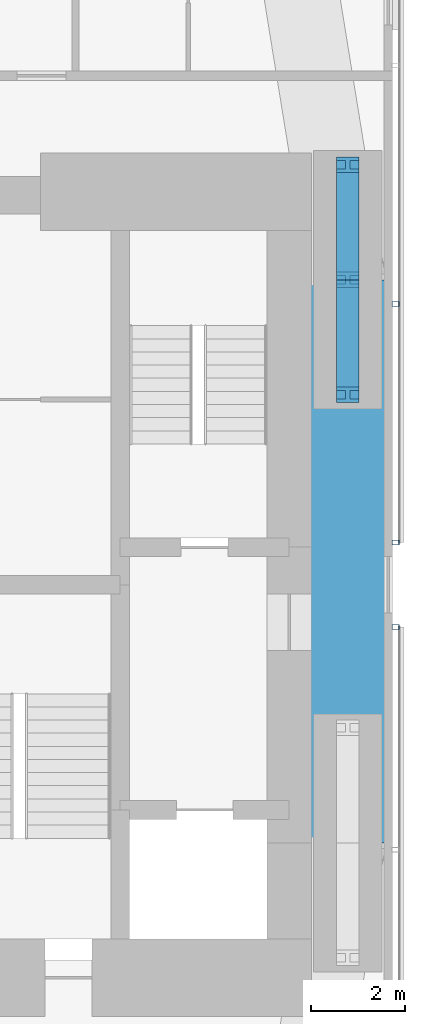
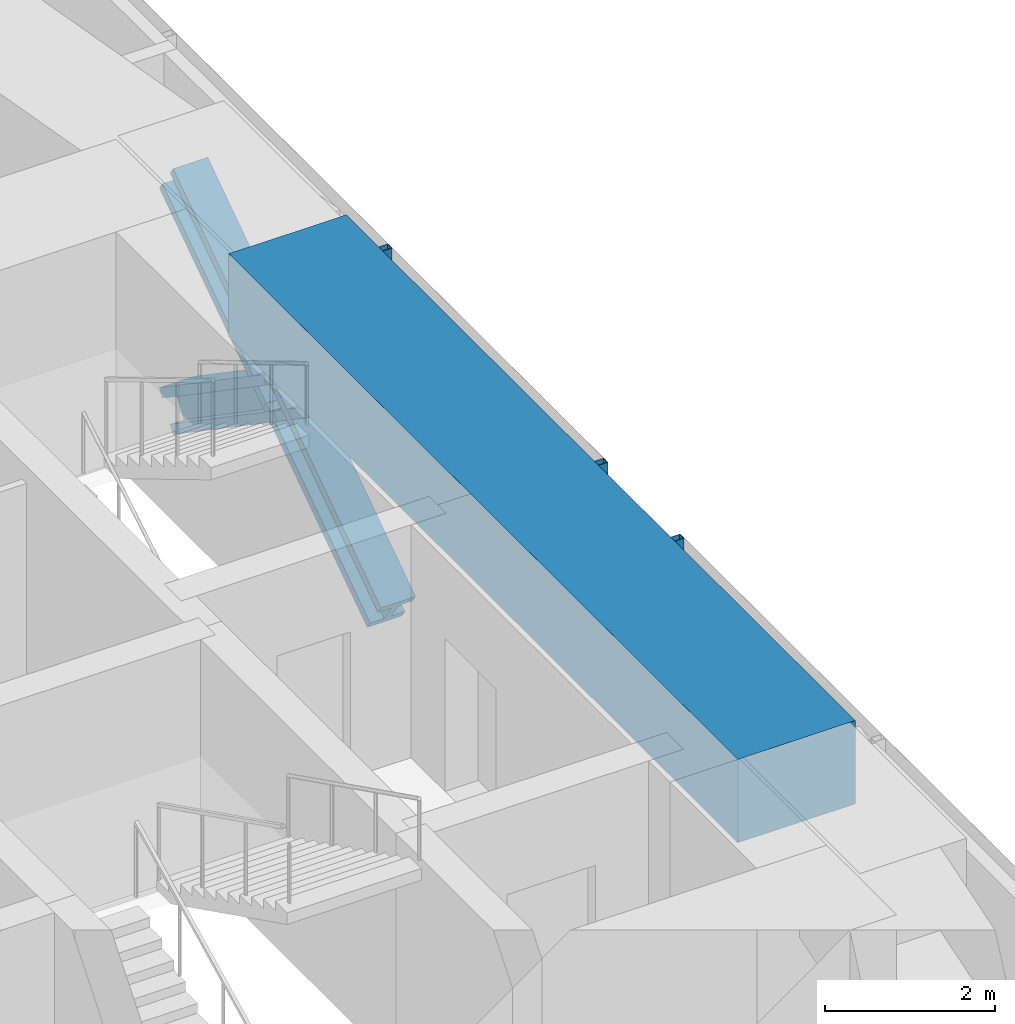
# One storey, part 10 of 24: 7 members, 1 beam, 2 elements without a shape of their own.
"""IFC4 building model written with IfcOpenShell, lengths in metres."""

from ifc_helpers import new_model, si_unit, direction, frame, origin, origin_2d, place, context, subcontext, project, spatial, rectangle, hollow_rectangle, i_section, extrude, material, material_profile, profile_set, type_object, element, aggregate, save


model = new_model("IFC4")

# Units and contexts
model_context = context("Model", 3, precision=1e-05, world=origin(), true_north=direction((0.0, 1.0)))
body_context = subcontext(model_context, "Body", "Model", "MODEL_VIEW")
ifc_project = project(units=[si_unit("LENGTHUNIT", "METRE"), si_unit("AREAUNIT", "SQUARE_METRE"), si_unit("VOLUMEUNIT", "CUBIC_METRE"), si_unit("PLANEANGLEUNIT", "RADIAN"), si_unit("MASSUNIT", "GRAM", prefix="KILO")], contexts=[model_context])

# Site, building, storey
site_placement = place(None, origin())
site = spatial("IfcSite", under=ifc_project, at=site_placement, CompositionType="ELEMENT")
building_placement = place(site_placement, origin())
building = spatial("IfcBuilding", under=site, at=building_placement, Name="Jalousie Tower", CompositionType="ELEMENT")
storey_placement = place(building_placement, frame((0.0, 0.0, 54.5)))
storey = spatial("IfcBuildingStorey", under=building, at=storey_placement, Name="L14", CompositionType="ELEMENT", Elevation=54.5)

# Members
ifc_material_1 = material(Name="Steel ASTM A992 Grade 50", Category="steel")
ifc_material_profile_1 = material_profile(ifc_material_1, i_section(OverallWidth=0.472412109375, OverallDepth=0.5791015625, WebThickness=0.094970703125, FlangeThickness=0.1298828125, at=origin_2d()), Name="W14X808")
ifc_profile_set_1 = profile_set([ifc_material_profile_1], Name="Steel ASTM A992 Grade 50")
member_type_1 = type_object("IfcMemberType", Name="PERIMETER BRACE W14X808", PredefinedType="BRACE", material=ifc_profile_set_1)
for number, where, z_axis, x_axis, name in (
    (1, (45.050048828125, 22.550048828125, -0.60009765625), (0.0, 0.825500916831, 0.564400776321), (-1.0, 0.0, 0.0), "Perimeter brace 07 L14 part 1"),
    (2, (45.050048828125, 25.0, 1.074951171875), (0.0, 0.825500916831, 0.564400776321), (-1.0, 0.0, 0.0), "Perimeter brace 07 L14 part 2"),
    (3, (45.050048828125, 27.449951171875, -0.60009765625), (0.0, -0.825500916831, 0.564400776321), (1.0, 0.0, 0.0), "Perimeter brace 07 L14 part 3"),
    (4, (45.050048828125, 25.0, 1.074951171875), (0.0, -0.825500916831, 0.564400776321), (1.0, 0.0, 0.0), "Perimeter brace 07 L14 part 4"),
):
    element("IfcMember", number, at=place(storey_placement, frame(where, z_axis=z_axis, x_axis=x_axis)), inside=storey, type_object=member_type_1, Name=name, PredefinedType="BRACE", context=body_context, shape_type="SweptSolid", body=[
        extrude(i_section(OverallWidth=0.472412109375, OverallDepth=0.5791015625, WebThickness=0.094970703125, FlangeThickness=0.1298828125, at=origin_2d()), origin(), (0.0, 0.0, 1.0), 2.9677734375),
    ])

# Beam
ifc_material_2 = material(Name="Concrete f'c 40 MPa", Category="concrete")
ifc_material_profile_2 = material_profile(ifc_material_2, rectangle(XDim=1.60009765625, YDim=1.199951171875, at=origin_2d()), Name="RC 1600x1200")
ifc_profile_set_2 = profile_set([ifc_material_profile_2], Name="Concrete f'c 40 MPa")
beam_type = type_object("IfcBeamType", Name="RC BEAM 1600x1200", PredefinedType="BEAM", material=ifc_profile_set_2)
beam_placement = place(storey_placement, frame((45.050048828125, 13.0, 2.75), z_axis=(0.0, 1.0, 0.0), x_axis=(-1.0, 0.0, 0.0)))
element("IfcBeam", 5, at=beam_placement, inside=storey, type_object=beam_type, Name="Edge band beam 06-07 under L15", PredefinedType="BEAM", context=body_context, shape_type="SweptSolid", body=[
    extrude(rectangle(XDim=1.60009765625, YDim=1.199951171875, at=origin_2d()), origin(), (0.0, 0.0, 1.0), 12.0),
])

# Curtain wall, member
ifc_material_3 = material(Name="Perforated aluminium sheet", Category="aluminium")
curtain_wall_type = type_object("IfcCurtainWallType", Name="SOLAR SCREEN SS-1", PredefinedType="USERDEFINED", material=ifc_material_3)
curtain_wall_1_placement = place(storey_placement, origin())
curtain_wall_1 = element("IfcCurtainWall", 6, at=curtain_wall_1_placement, inside=storey, type_object=curtain_wall_type, Name="Solar screen L14", ObjectType="SOLAR SCREEN SS-1", PredefinedType="USERDEFINED")
ifc_material_4 = material(Name="Steel ASTM A500 Grade C", Category="steel")
ifc_material_profile_3 = material_profile(ifc_material_4, hollow_rectangle(XDim=0.1015625, YDim=0.15234375, WallThickness=0.00634765625, at=origin_2d()), Name="HSS6X4X1/4")
ifc_profile_set_3 = profile_set([ifc_material_profile_3], Name="Steel ASTM A500 Grade C")
member_type_2 = type_object("IfcMemberType", Name="SOLAR SCREEN SS-1 MULLION", PredefinedType="MULLION", material=ifc_profile_set_3)
member_1_placement = place(storey_placement, frame((46.0712890625, 17.60009765625, -0.1201171875), z_axis=(0.0, 0.0, 1.0), x_axis=(0.0, 1.0, 0.0)))
member_1 = element("IfcMember", 7, at=member_1_placement, type_object=member_type_2, Name="SS1 post 4", PredefinedType="MULLION", context=body_context, shape_type="SweptSolid", body=[
    extrude(hollow_rectangle(XDim=0.1015625, YDim=0.15234375, WallThickness=0.00634765625, at=origin_2d()), origin(), (0.0, 0.0, 1.0), 3.230224609375),
])
aggregate(curtain_wall_1, [member_1])

# Curtain wall, members
curtain_wall_2_placement = place(storey_placement, origin())
curtain_wall_2 = element("IfcCurtainWall", 8, at=curtain_wall_2_placement, inside=storey, type_object=curtain_wall_type, Name="Solar screen L14", ObjectType="SOLAR SCREEN SS-1", PredefinedType="USERDEFINED")
member_2_placement = place(storey_placement, frame((46.0712890625, 19.39990234375, -0.1201171875), z_axis=(0.0, 0.0, 1.0), x_axis=(0.0, 1.0, 0.0)))
member_2 = element("IfcMember", 9, at=member_2_placement, type_object=member_type_2, Name="SS1 post 1", PredefinedType="MULLION", context=body_context, shape_type="SweptSolid", body=[
    extrude(hollow_rectangle(XDim=0.1015625, YDim=0.15234375, WallThickness=0.00634765625, at=origin_2d()), origin(), (0.0, 0.0, 1.0), 3.230224609375),
])
member_3_placement = place(storey_placement, frame((46.0712890625, 24.48291015625, -0.1201171875), z_axis=(0.0, 0.0, 1.0), x_axis=(0.0, 1.0, 0.0)))
member_3 = element("IfcMember", 10, at=member_3_placement, type_object=member_type_2, Name="SS1 post 2", PredefinedType="MULLION", context=body_context, shape_type="SweptSolid", body=[
    extrude(hollow_rectangle(XDim=0.1015625, YDim=0.15234375, WallThickness=0.00634765625, at=origin_2d()), origin(), (0.0, 0.0, 1.0), 3.230224609375),
])
aggregate(curtain_wall_2, [member_2, member_3])

save(model, "model.ifc")
